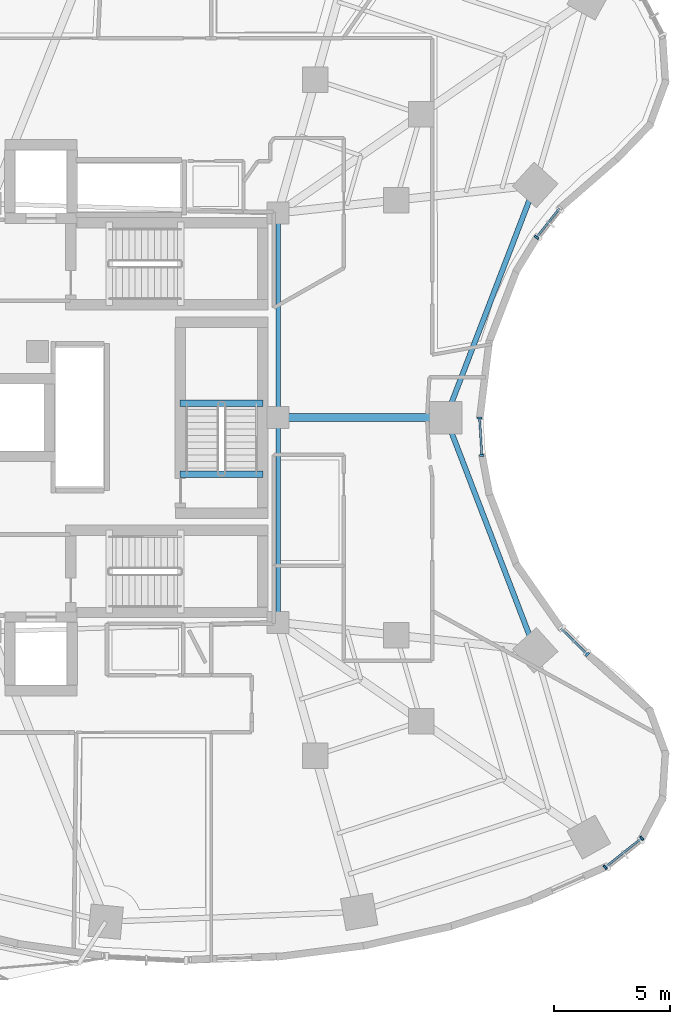
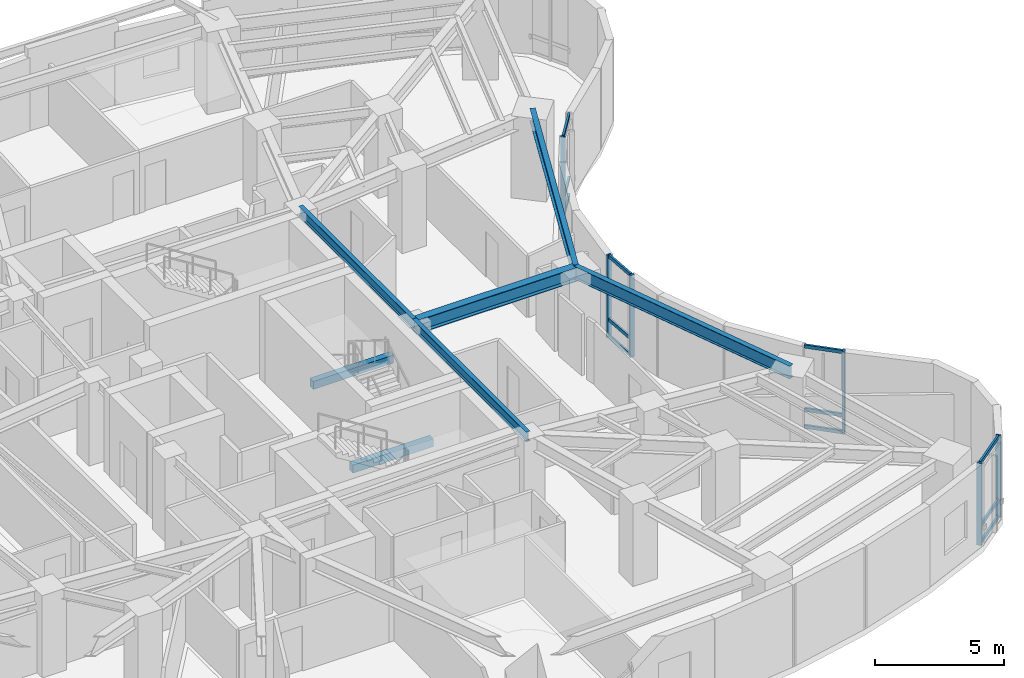
# One storey, part 4 of 15: 18 members, 7 beams, 4 elements without a shape of their own.
"""IFC4 building model written with IfcOpenShell, lengths in metres."""

from ifc_helpers import new_model, si_unit, direction, frame, origin, origin_2d, place, context, subcontext, project, spatial, rectangle, i_section, extrude, material, layer, layer_set, material_profile, profile_set, type_object, element, aggregate, save


model = new_model("IFC4")

# Units and contexts
model_context = context("Model", 3, precision=1e-05, world=origin(), true_north=direction((0.0, 1.0)))
body_context = subcontext(model_context, "Body", "Model", "MODEL_VIEW")
ifc_project = project(units=[si_unit("LENGTHUNIT", "METRE"), si_unit("AREAUNIT", "SQUARE_METRE"), si_unit("VOLUMEUNIT", "CUBIC_METRE"), si_unit("PLANEANGLEUNIT", "RADIAN"), si_unit("MASSUNIT", "GRAM", prefix="KILO")], contexts=[model_context])

# Site, building, storey
site_placement = place(None, origin())
site = spatial("IfcSite", under=ifc_project, at=site_placement, CompositionType="ELEMENT")
building_placement = place(site_placement, origin())
building = spatial("IfcBuilding", under=site, at=building_placement, Name="Korentha Bioscience Tower", CompositionType="ELEMENT")
storey_placement = place(building_placement, frame((0.0, 0.0, 38.39990234375)))
storey = spatial("IfcBuildingStorey", under=building, at=storey_placement, Name="L08", CompositionType="ELEMENT", Elevation=38.39990234375)

# Beams
ifc_material_1 = material(Name="Concrete C50", Category="concrete")
ifc_material_profile_1 = material_profile(ifc_material_1, rectangle(XDim=0.280029296875, YDim=0.3798828125, at=origin_2d()), Name="Concrete C50")
ifc_profile_set_1 = profile_set([ifc_material_profile_1], Name="Concrete C50 (ST-HB380)")
beam_type_1 = type_object("IfcBeamType", Name="Concrete Stair Header Beam RC 280x380", PredefinedType="BEAM", material=ifc_profile_set_1)
for number, where, z_axis, x_axis, name in (
    (1, (36.89990234375, 24.550048828125, -0.18994140625), (-1.0, 0.0, 0.0), (0.0, -1.0, 0.0), "L08 ST-3 Concrete Stair Header Beam"),
    (2, (36.89990234375, 27.6298828125, 1.91015625), (-1.0, 0.0, 0.0), (0.0, -1.0, 0.0), "L08 ST-3 Half-Landing Header Beam 1"),
):
    element("IfcBeam", number, at=place(storey_placement, frame(where, z_axis=z_axis, x_axis=x_axis)), inside=storey, type_object=beam_type_1, Name=name, PredefinedType="BEAM", context=body_context, shape_type="SweptSolid", body=[
        extrude(rectangle(XDim=0.280029296875, YDim=0.3798828125, at=origin_2d()), origin(), (0.0, 0.0, 1.0), 3.599853515625),
    ])
ifc_material_2 = material(Name="Steel S355", Category="steel")
ifc_material_profile_2 = material_profile(ifc_material_2, i_section(OverallWidth=0.18994140625, OverallDepth=0.45703125, WebThickness=0.009033203125, FlangeThickness=0.014404296875, at=origin_2d()), Name="Steel S355")
ifc_profile_set_2 = profile_set([ifc_material_profile_2], Name="Steel S355 (MB-460)")
beam_type_2 = type_object("IfcBeamType", Name="Mid-Ring Tie Girder W460x74", PredefinedType="BEAM", material=ifc_profile_set_2)
for number, where, z_axis, x_axis, name in (
    (3, (37.550048828125, 18.14990234375, 3.671630859375), (0.0, 1.0, 0.0), (-1.0, 0.0, 0.0), "L08 Core Ring Tie Girder 06"),
    (4, (37.550048828125, 27.0, 3.671630859375), (0.0, 1.0, 0.0), (-1.0, 0.0, 0.0), "L08 Core Ring Tie Girder 07"),
):
    element("IfcBeam", number, at=place(storey_placement, frame(where, z_axis=z_axis, x_axis=x_axis)), inside=storey, type_object=beam_type_2, Name=name, PredefinedType="BEAM", context=body_context, shape_type="SweptSolid", body=[
        extrude(i_section(OverallWidth=0.18994140625, OverallDepth=0.45703125, WebThickness=0.009033203125, FlangeThickness=0.014404296875, at=origin_2d()), origin(), (0.0, 0.0, 1.0), 8.85009765625),
    ])

# Curtain wall, members
ifc_material_3 = material(Name="Thermally Broken Aluminium Frame", Category="aluminium")
ifc_layer_1 = layer(ifc_material_3, 0.219970703125, Name="Thermally Broken Aluminium Frame")
ifc_layer_set_1 = layer_set([ifc_layer_1], Name="Thermally Broken Aluminium Frame (CW-T2)")
curtain_wall_type_1 = type_object("IfcCurtainWallType", Name="Solar-Screened Lab Unitised Curtain Wall CW-T2", PredefinedType="USERDEFINED", material=ifc_layer_set_1)
curtain_wall_1_placement = place(storey_placement, origin())
curtain_wall_1 = element("IfcCurtainWall", 5, at=curtain_wall_1_placement, inside=storey, type_object=curtain_wall_type_1, Name="L08 Curtain Wall 37", ObjectType="UNITISED", PredefinedType="USERDEFINED")
ifc_material_4 = material(Name="Anodised Aluminium 6063-T6", Category="aluminium")
ifc_material_profile_3 = material_profile(ifc_material_4, rectangle(XDim=0.090087890625, YDim=0.199951171875, at=origin_2d()), Name="Anodised Aluminium 6063-T6")
ifc_profile_set_3 = profile_set([ifc_material_profile_3], Name="Anodised Aluminium 6063-T6 (CW-MUL)")
member_type_1 = type_object("IfcMemberType", Name="Mullion RECT 90x200", PredefinedType="MULLION", material=ifc_profile_set_3)
member_1_placement = place(storey_placement, frame((51.6865234375, 7.56298828125, 0.0), z_axis=(0.0, 0.0, 1.0), x_axis=(0.782287851332, 0.62291710336, 0.0)))
member_1 = element("IfcMember", 6, at=member_1_placement, type_object=member_type_1, Name="CW-L08-37 Mullion 1", PredefinedType="MULLION", context=body_context, shape_type="SweptSolid", body=[
    extrude(rectangle(XDim=0.090087890625, YDim=0.199951171875, at=origin_2d()), origin(), (0.0, 0.0, 1.0), 3.900146484375),
])
member_2_placement = place(storey_placement, frame((53.264892578125, 8.81982421875, 0.0), z_axis=(0.0, 0.0, 1.0), x_axis=(0.782287851332, 0.62291710336, 0.0)))
member_2 = element("IfcMember", 7, at=member_2_placement, type_object=member_type_1, Name="CW-L08-37 Mullion 2", PredefinedType="MULLION", context=body_context, shape_type="SweptSolid", body=[
    extrude(rectangle(XDim=0.090087890625, YDim=0.199951171875, at=origin_2d()), origin(), (0.0, 0.0, 1.0), 3.900146484375),
])

# Curtain wall, member
curtain_wall_2_placement = place(storey_placement, origin())
curtain_wall_2 = element("IfcCurtainWall", 8, at=curtain_wall_2_placement, inside=storey, type_object=curtain_wall_type_1, Name="L08 Curtain Wall 43", ObjectType="UNITISED", PredefinedType="USERDEFINED")
member_3_placement = place(storey_placement, frame((50.913818359375, 16.76513671875, 0.0), z_axis=(0.0, 0.0, 1.0), x_axis=(-0.713279246754, 0.700879958445, 0.0)))
member_3 = element("IfcMember", 9, at=member_3_placement, type_object=member_type_1, Name="CW-L08-43 Mullion 1", PredefinedType="MULLION", context=body_context, shape_type="SweptSolid", body=[
    extrude(rectangle(XDim=0.090087890625, YDim=0.199951171875, at=origin_2d()), origin(), (0.0, 0.0, 1.0), 3.900146484375),
])

# Curtain wall, members
ifc_layer_2 = layer(ifc_material_3, 0.219970703125, Name="Thermally Broken Aluminium Frame")
ifc_layer_set_2 = layer_set([ifc_layer_2], Name="Thermally Broken Aluminium Frame (CW-T1)")
curtain_wall_type_2 = type_object("IfcCurtainWallType", Name="Standard Bioscience Lab Unitised Curtain Wall CW-T1", PredefinedType="USERDEFINED", material=ifc_layer_set_2)
curtain_wall_3_placement = place(storey_placement, origin())
curtain_wall_3 = element("IfcCurtainWall", 10, at=curtain_wall_3_placement, inside=storey, type_object=curtain_wall_type_2, Name="L08 Curtain Wall 49", ObjectType="UNITISED", PredefinedType="USERDEFINED")
member_4_placement = place(storey_placement, frame((46.355712890625, 25.3603515625, 0.0), z_axis=(0.0, 0.0, 1.0), x_axis=(-0.061008272998, 0.998137260413, 0.0)))
member_4 = element("IfcMember", 11, at=member_4_placement, type_object=member_type_1, Name="CW-L08-49 Mullion 1", PredefinedType="MULLION", context=body_context, shape_type="SweptSolid", body=[
    extrude(rectangle(XDim=0.090087890625, YDim=0.199951171875, at=origin_2d()), origin(), (0.0, 0.0, 1.0), 3.900146484375),
])
member_5_placement = place(storey_placement, frame((46.25634765625, 26.985107421875, 0.0), z_axis=(0.0, 0.0, 1.0), x_axis=(-0.061008272998, 0.998137260413, 0.0)))
member_5 = element("IfcMember", 12, at=member_5_placement, type_object=member_type_1, Name="CW-L08-49 Mullion 2", PredefinedType="MULLION", context=body_context, shape_type="SweptSolid", body=[
    extrude(rectangle(XDim=0.090087890625, YDim=0.199951171875, at=origin_2d()), origin(), (0.0, 0.0, 1.0), 3.900146484375),
])

# Curtain wall, member
curtain_wall_4_placement = place(storey_placement, origin())
curtain_wall_4 = element("IfcCurtainWall", 13, at=curtain_wall_4_placement, inside=storey, type_object=curtain_wall_type_1, Name="L08 Curtain Wall 55", ObjectType="UNITISED", PredefinedType="USERDEFINED")
member_6_placement = place(storey_placement, frame((48.719482421875, 34.7978515625, 0.0), z_axis=(0.0, 0.0, 1.0), x_axis=(0.622520324648, 0.782603632371, 0.0)))
member_6 = element("IfcMember", 14, at=member_6_placement, type_object=member_type_1, Name="CW-L08-55 Mullion 1", PredefinedType="MULLION", context=body_context, shape_type="SweptSolid", body=[
    extrude(rectangle(XDim=0.090087890625, YDim=0.199951171875, at=origin_2d()), origin(), (0.0, 0.0, 1.0), 3.900146484375),
])

# Beams
ifc_material_profile_4 = material_profile(ifc_material_2, i_section(OverallWidth=0.22802734375, OverallDepth=0.60791015625, WebThickness=0.01123046875, FlangeThickness=0.017333984375, at=origin_2d()), Name="Steel S355")
ifc_profile_set_4 = profile_set([ifc_material_profile_4], Name="Steel S355 (SB-610)")
beam_type_3 = type_object("IfcBeamType", Name="Perimeter Ring Spandrel Girder W610x113", PredefinedType="SPANDREL", material=ifc_profile_set_4)
for number, where, z_axis, x_axis, name in (
    (15, (48.661865234375, 16.939208984375, 3.59619140625), (-0.358473520253, 0.93353989485, 0.0), (-0.93353989485, -0.358473520253, 0.0), "L08 Perimeter Spandrel Girder 14"),
    (16, (44.798583984375, 27.0, 3.59619140625), (0.358473520253, 0.93353989485, 0.0), (-0.93353989485, 0.358473520253, 0.0), "L08 Perimeter Spandrel Girder 15"),
):
    element("IfcBeam", number, at=place(storey_placement, frame(where, z_axis=z_axis, x_axis=x_axis)), inside=storey, type_object=beam_type_3, Name=name, PredefinedType="SPANDREL", context=body_context, shape_type="SweptSolid", body=[
        extrude(i_section(OverallWidth=0.22802734375, OverallDepth=0.60791015625, WebThickness=0.01123046875, FlangeThickness=0.017333984375, at=origin_2d()), origin(), (0.0, 0.0, 1.0), 10.777099609375),
    ])
ifc_material_profile_5 = material_profile(ifc_material_2, i_section(OverallWidth=0.35009765625, OverallDepth=0.64990234375, WebThickness=0.01611328125, FlangeThickness=0.02490234375, at=origin_2d()), Name="Steel S355")
ifc_profile_set_5 = profile_set([ifc_material_profile_5], Name="Steel S355 (RB-650)")
beam_type_4 = type_object("IfcBeamType", Name="Radial Laboratory Girder CVS 650x208", PredefinedType="BEAM", material=ifc_profile_set_5)
beam_placement = place(storey_placement, frame((37.550048828125, 27.0, 3.5751953125), z_axis=(1.0, 0.0, 0.0), x_axis=(0.0, 1.0, 0.0)))
element("IfcBeam", 17, at=beam_placement, inside=storey, type_object=beam_type_4, Name="L08 Radial Girder 15", PredefinedType="BEAM", context=body_context, shape_type="SweptSolid", body=[
    extrude(i_section(OverallWidth=0.35009765625, OverallDepth=0.64990234375, WebThickness=0.01611328125, FlangeThickness=0.02490234375, at=origin_2d()), origin(), (0.0, 0.0, 1.0), 7.24853515625),
])

# Member
ifc_material_profile_6 = material_profile(ifc_material_4, rectangle(XDim=0.090087890625, YDim=0.159912109375, at=origin_2d()), Name="Anodised Aluminium 6063-T6")
ifc_profile_set_6 = profile_set([ifc_material_profile_6], Name="Anodised Aluminium 6063-T6 (CW-TRN)")
member_type_2 = type_object("IfcMemberType", Name="Transom RECT 90x160", PredefinedType="USERDEFINED", material=ifc_profile_set_6)
member_7_placement = place(storey_placement, frame((51.7216796875, 7.591064453125, 0.045166015625), z_axis=(0.78232471634, 0.622870803782, 0.0), x_axis=(-0.622870803782, 0.78232471634, 0.0)))
member_7 = element("IfcMember", 18, at=member_7_placement, type_object=member_type_2, Name="CW-L08-37 Bay 1 Transom 1", ObjectType="TRANSOM", PredefinedType="USERDEFINED", context=body_context, shape_type="SweptSolid", body=[
    extrude(rectangle(XDim=0.090087890625, YDim=0.159912109375, at=origin_2d()), origin(), (0.0, 0.0, 1.0), 1.927734375),
])

member_8_placement = place(storey_placement, frame((51.7216796875, 7.591064453125, 0.85009765625), z_axis=(0.78232471634, 0.622870803782, 0.0), x_axis=(-0.622870803782, 0.78232471634, 0.0)))
member_8 = element("IfcMember", 19, at=member_8_placement, type_object=member_type_2, Name="CW-L08-37 Bay 1 Transom 2", ObjectType="TRANSOM", PredefinedType="USERDEFINED", context=body_context, shape_type="SweptSolid", body=[
    extrude(rectangle(XDim=0.090087890625, YDim=0.159912109375, at=origin_2d()), origin(), (0.0, 0.0, 1.0), 1.927734375),
])

member_9_placement = place(storey_placement, frame((51.7216796875, 7.591064453125, 3.85498046875), z_axis=(0.78232471634, 0.622870803782, 0.0), x_axis=(-0.622870803782, 0.78232471634, 0.0)))
member_9 = element("IfcMember", 20, at=member_9_placement, type_object=member_type_2, Name="CW-L08-37 Bay 1 Transom 3", ObjectType="TRANSOM", PredefinedType="USERDEFINED", context=body_context, shape_type="SweptSolid", body=[
    extrude(rectangle(XDim=0.090087890625, YDim=0.159912109375, at=origin_2d()), origin(), (0.0, 0.0, 1.0), 1.927734375),
])

aggregate(curtain_wall_1, [member_1, member_2, member_7, member_8, member_9])

member_10_placement = place(storey_placement, frame((50.8818359375, 16.796875, 0.045166015625), z_axis=(-0.713350356322, 0.700807583531, 0.0), x_axis=(-0.700807583531, -0.713350356322, 0.0)))
member_10 = element("IfcMember", 21, at=member_10_placement, type_object=member_type_2, Name="CW-L08-43 Bay 1 Transom 1", ObjectType="TRANSOM", PredefinedType="USERDEFINED", context=body_context, shape_type="SweptSolid", body=[
    extrude(rectangle(XDim=0.090087890625, YDim=0.159912109375, at=origin_2d()), origin(), (0.0, 0.0, 1.0), 1.53759765625),
])

member_11_placement = place(storey_placement, frame((50.8818359375, 16.796875, 0.85009765625), z_axis=(-0.713350356322, 0.700807583531, 0.0), x_axis=(-0.700807583531, -0.713350356322, 0.0)))
member_11 = element("IfcMember", 22, at=member_11_placement, type_object=member_type_2, Name="CW-L08-43 Bay 1 Transom 2", ObjectType="TRANSOM", PredefinedType="USERDEFINED", context=body_context, shape_type="SweptSolid", body=[
    extrude(rectangle(XDim=0.090087890625, YDim=0.159912109375, at=origin_2d()), origin(), (0.0, 0.0, 1.0), 1.53759765625),
])

member_12_placement = place(storey_placement, frame((50.8818359375, 16.796875, 3.85498046875), z_axis=(-0.713350356322, 0.700807583531, 0.0), x_axis=(-0.700807583531, -0.713350356322, 0.0)))
member_12 = element("IfcMember", 23, at=member_12_placement, type_object=member_type_2, Name="CW-L08-43 Bay 1 Transom 3", ObjectType="TRANSOM", PredefinedType="USERDEFINED", context=body_context, shape_type="SweptSolid", body=[
    extrude(rectangle(XDim=0.090087890625, YDim=0.159912109375, at=origin_2d()), origin(), (0.0, 0.0, 1.0), 1.53759765625),
])

aggregate(curtain_wall_2, [member_3, member_10, member_11, member_12])

member_13_placement = place(storey_placement, frame((46.352783203125, 25.4052734375, 0.045166015625), z_axis=(-0.060964804815, 0.998139916331, 0.0), x_axis=(-0.998139916331, -0.060964804815, 0.0)))
member_13 = element("IfcMember", 24, at=member_13_placement, type_object=member_type_2, Name="CW-L08-49 Bay 1 Transom 1", ObjectType="TRANSOM", PredefinedType="USERDEFINED", context=body_context, shape_type="SweptSolid", body=[
    extrude(rectangle(XDim=0.090087890625, YDim=0.159912109375, at=origin_2d()), origin(), (0.0, 0.0, 1.0), 1.537841796875),
])

member_14_placement = place(storey_placement, frame((46.352783203125, 25.4052734375, 0.85009765625), z_axis=(-0.060964804815, 0.998139916331, 0.0), x_axis=(-0.998139916331, -0.060964804815, 0.0)))
member_14 = element("IfcMember", 25, at=member_14_placement, type_object=member_type_2, Name="CW-L08-49 Bay 1 Transom 2", ObjectType="TRANSOM", PredefinedType="USERDEFINED", context=body_context, shape_type="SweptSolid", body=[
    extrude(rectangle(XDim=0.090087890625, YDim=0.159912109375, at=origin_2d()), origin(), (0.0, 0.0, 1.0), 1.537841796875),
])

member_15_placement = place(storey_placement, frame((46.352783203125, 25.4052734375, 3.85498046875), z_axis=(-0.060964804815, 0.998139916331, 0.0), x_axis=(-0.998139916331, -0.060964804815, 0.0)))
member_15 = element("IfcMember", 26, at=member_15_placement, type_object=member_type_2, Name="CW-L08-49 Bay 1 Transom 3", ObjectType="TRANSOM", PredefinedType="USERDEFINED", context=body_context, shape_type="SweptSolid", body=[
    extrude(rectangle(XDim=0.090087890625, YDim=0.159912109375, at=origin_2d()), origin(), (0.0, 0.0, 1.0), 1.537841796875),
])

aggregate(curtain_wall_3, [member_4, member_5, member_13, member_14, member_15])

member_16_placement = place(storey_placement, frame((48.74755859375, 34.8330078125, 0.045166015625), z_axis=(0.622563336945, 0.782569416405, 0.0), x_axis=(-0.782569416405, 0.622563336945, 0.0)))
member_16 = element("IfcMember", 27, at=member_16_placement, type_object=member_type_2, Name="CW-L08-55 Bay 1 Transom 1", ObjectType="TRANSOM", PredefinedType="USERDEFINED", context=body_context, shape_type="SweptSolid", body=[
    extrude(rectangle(XDim=0.090087890625, YDim=0.159912109375, at=origin_2d()), origin(), (0.0, 0.0, 1.0), 1.5380859375),
])

member_17_placement = place(storey_placement, frame((48.74755859375, 34.8330078125, 0.85009765625), z_axis=(0.622563336945, 0.782569416405, 0.0), x_axis=(-0.782569416405, 0.622563336945, 0.0)))
member_17 = element("IfcMember", 28, at=member_17_placement, type_object=member_type_2, Name="CW-L08-55 Bay 1 Transom 2", ObjectType="TRANSOM", PredefinedType="USERDEFINED", context=body_context, shape_type="SweptSolid", body=[
    extrude(rectangle(XDim=0.090087890625, YDim=0.159912109375, at=origin_2d()), origin(), (0.0, 0.0, 1.0), 1.5380859375),
])

member_18_placement = place(storey_placement, frame((48.74755859375, 34.8330078125, 3.85498046875), z_axis=(0.622563336945, 0.782569416405, 0.0), x_axis=(-0.782569416405, 0.622563336945, 0.0)))
member_18 = element("IfcMember", 29, at=member_18_placement, type_object=member_type_2, Name="CW-L08-55 Bay 1 Transom 3", ObjectType="TRANSOM", PredefinedType="USERDEFINED", context=body_context, shape_type="SweptSolid", body=[
    extrude(rectangle(XDim=0.090087890625, YDim=0.159912109375, at=origin_2d()), origin(), (0.0, 0.0, 1.0), 1.5380859375),
])

aggregate(curtain_wall_4, [member_6, member_16, member_17, member_18])

save(model, "model.ifc")
